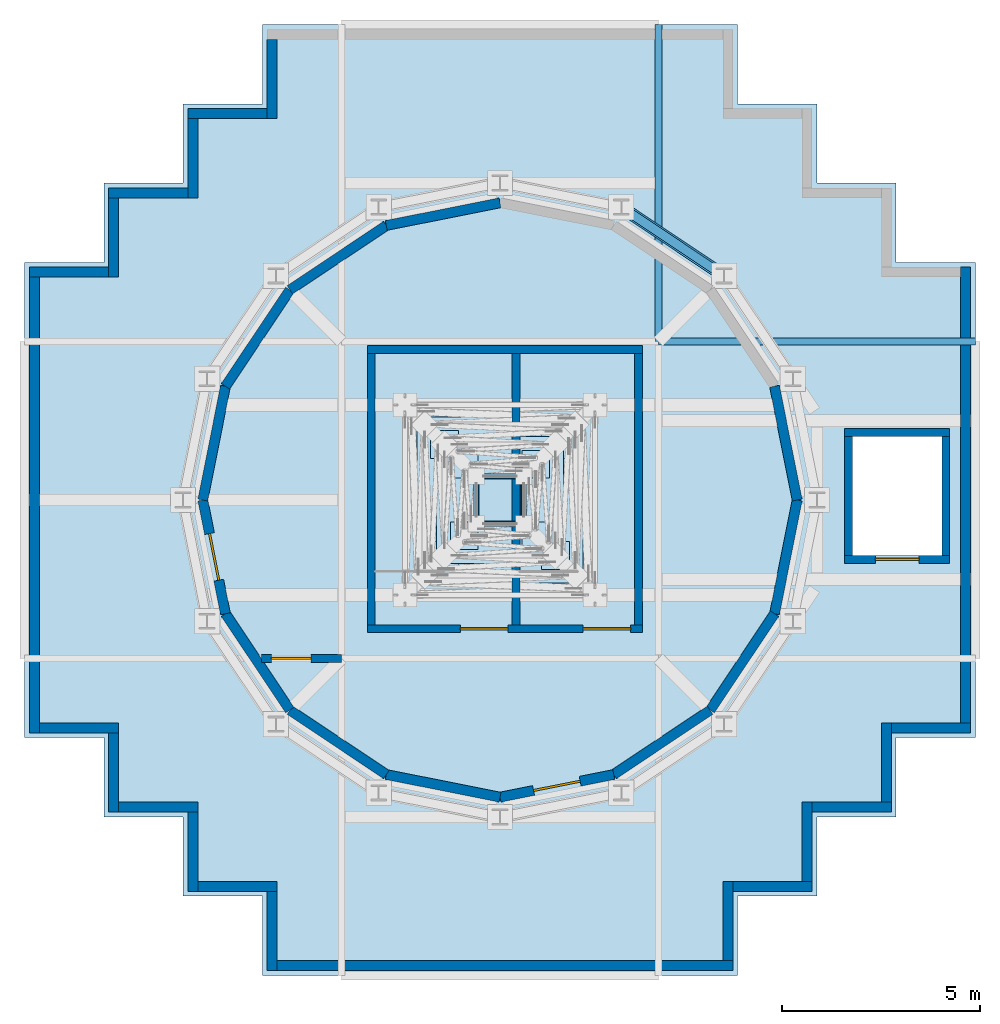
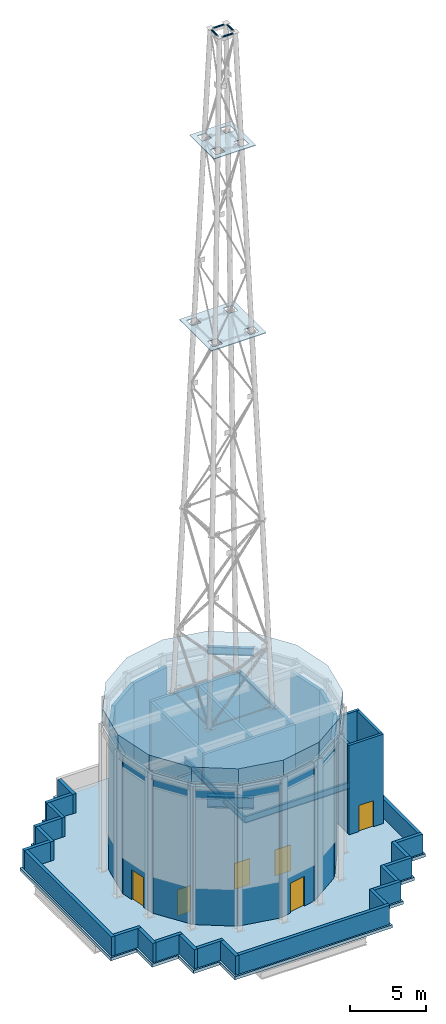
# One storey, part 3 of 15: 44 walls, 6 doors, 4 beams, 4 members, 2 plates, 2 slabs, 6 openings.
"""IFC4 building model written with IfcOpenShell, lengths in metres."""

from ifc_helpers import new_model, si_unit, direction, frame, frame_2d, origin, origin_2d, place, context, subcontext, project, spatial, polyline, rectangle, hollow_circle, i_section, outline, extrude, material, layer, layer_set, material_profile, profile_set, type_object, element, fill, save


model = new_model("IFC4")

# Units and contexts
model_context = context("Model", 3, precision=1e-05, world=origin(), true_north=direction((0.0, 1.0)))
body_context = subcontext(model_context, "Body", "Model", "MODEL_VIEW")
ifc_project = project(units=[si_unit("LENGTHUNIT", "METRE"), si_unit("AREAUNIT", "SQUARE_METRE"), si_unit("VOLUMEUNIT", "CUBIC_METRE"), si_unit("PLANEANGLEUNIT", "RADIAN"), si_unit("MASSUNIT", "GRAM", prefix="KILO")], contexts=[model_context])

# Site, building, storey
site_placement = place(None, origin())
site = spatial("IfcSite", under=ifc_project, at=site_placement, CompositionType="ELEMENT")
building_placement = place(site_placement, origin())
building = spatial("IfcBuilding", under=site, at=building_placement, Name="Immortelle Media Tower", CompositionType="ELEMENT")
storey_placement = place(building_placement, frame((0.0, 0.0, 308.0)))
storey = spatial("IfcBuildingStorey", under=building, at=storey_placement, Name="Roof", CompositionType="ELEMENT", Elevation=308.0)

# Members
ifc_material_1 = material(Name="Steel S355J2H", Category="steel")
ifc_material_profile_1 = material_profile(ifc_material_1, hollow_circle(Radius=0.06982421875, WallThickness=0.00634765625, at=origin_2d()), Name="CHS 139.7 x 6.3")
ifc_profile_set_1 = profile_set([ifc_material_profile_1], Name="Steel S355J2H")
member_type = type_object("IfcMemberType", Name="MAST ring CHS 139.7 x 6.3", PredefinedType="COLLAR", material=ifc_profile_set_1)
for number, where, z_axis, x_axis, name in (
    (1, (11.57275390625, 11.39990234375, 66.91015625), (1.0, 0.0, 0.0), (0.0, 1.0, 0.0), "MAST ring 12A"),
    (2, (12.60009765625, 11.57275390625, 66.91015625), (0.0, 1.0, 0.0), (-1.0, 0.0, 0.0), "MAST ring 12B"),
    (3, (12.42724609375, 12.60009765625, 66.91015625), (-1.0, 0.0, 0.0), (0.0, -1.0, 0.0), "MAST ring 12C"),
    (4, (11.39990234375, 12.42724609375, 66.91015625), (0.0, -1.0, 0.0), (1.0, 0.0, 0.0), "MAST ring 12D"),
):
    element("IfcMember", number, at=place(storey_placement, frame(where, z_axis=z_axis, x_axis=x_axis)), inside=storey, type_object=member_type, Name=name, PredefinedType="COLLAR", context=body_context, shape_type="SweptSolid", body=[
        extrude(hollow_circle(Radius=0.06982421875, WallThickness=0.00634765625, at=origin_2d()), origin(), (0.0, 0.0, 1.0), 0.8544921875),
    ])

# Beams
ifc_material_2 = material(Name="Steel ASTM A992 Gr 50", Category="steel")
ifc_material_profile_2 = material_profile(ifc_material_2, i_section(OverallWidth=0.1669921875, OverallDepth=0.535888671875, WebThickness=0.010009765625, FlangeThickness=0.01708984375, at=origin_2d()), Name="W21x57")
ifc_profile_set_2 = profile_set([ifc_material_profile_2], Name="Steel ASTM A992 Gr 50")
beam_type_1 = type_object("IfcBeamType", Name="W21x57 girder", PredefinedType="BEAM", material=ifc_profile_set_2)
for number, where, z_axis, x_axis, name in (
    (5, (16.0, 16.0, -0.51806640625), (1.0, 0.0, 0.0), (0.0, 1.0, 0.0), "Girder C/3-4"),
    (6, (16.0, 16.0, -0.51806640625), (0.0, 1.0, 0.0), (-1.0, 0.0, 0.0), "Girder 3/C-D"),
):
    element("IfcBeam", number, at=place(storey_placement, frame(where, z_axis=z_axis, x_axis=x_axis)), inside=storey, type_object=beam_type_1, Name=name, PredefinedType="BEAM", context=body_context, shape_type="SweptSolid", body=[
        extrude(i_section(OverallWidth=0.1669921875, OverallDepth=0.535888671875, WebThickness=0.010009765625, FlangeThickness=0.01708984375, at=origin_2d()), origin(), (0.0, 0.0, 1.0), 8.0),
    ])
ifc_material_profile_3 = material_profile(ifc_material_2, i_section(OverallWidth=0.22900390625, OverallDepth=0.612060546875, WebThickness=0.011962890625, FlangeThickness=0.02001953125, at=origin_2d()), Name="W24x84")
ifc_profile_set_3 = profile_set([ifc_material_profile_3], Name="Steel ASTM A992 Gr 50")
beam_type_2 = type_object("IfcBeamType", Name="W24x84 drum crown ring beam", PredefinedType="SPANDREL", material=ifc_profile_set_3)
beam_1_placement = place(storey_placement, frame((17.656982421875, 17.656982421875, 11.444091796875), z_axis=(-0.831484320434, 0.555548220115, 0.0), x_axis=(-0.555548220115, -0.831484320434, 0.0)))
element("IfcBeam", 7, at=beam_1_placement, inside=storey, type_object=beam_type_2, Name="Drum ring beam 3", PredefinedType="SPANDREL", context=body_context, shape_type="SweptSolid", body=[
    extrude(i_section(OverallWidth=0.22900390625, OverallDepth=0.612060546875, WebThickness=0.011962890625, FlangeThickness=0.02001953125, at=origin_2d()), origin(), (0.0, 0.0, 1.0), 3.12158203125),
])
ifc_material_profile_4 = material_profile(ifc_material_2, i_section(OverallWidth=0.31005859375, OverallDepth=0.949951171875, WebThickness=0.02392578125, FlangeThickness=0.0439453125, at=origin_2d()), Name="W36x256")
ifc_profile_set_4 = profile_set([ifc_material_profile_4], Name="Steel ASTM A992 Gr 50")
beam_type_3 = type_object("IfcBeamType", Name="W36x256 drum base ring beam", PredefinedType="SPANDREL", material=ifc_profile_set_4)
beam_2_placement = place(storey_placement, frame((17.656982421875, 17.656982421875, -0.72509765625), z_axis=(-0.831484320434, 0.555548220115, 0.0), x_axis=(-0.555548220115, -0.831484320434, 0.0)))
element("IfcBeam", 8, at=beam_2_placement, inside=storey, type_object=beam_type_3, Name="Drum base ring beam 3", PredefinedType="SPANDREL", context=body_context, shape_type="SweptSolid", body=[
    extrude(i_section(OverallWidth=0.31005859375, OverallDepth=0.949951171875, WebThickness=0.02392578125, FlangeThickness=0.0439453125, at=origin_2d()), origin(), (0.0, 0.0, 1.0), 3.12158203125),
])

# Plates
ifc_material_3 = material(Name="Galvanised steel grating", Category="steel")
ifc_layer_1 = layer(ifc_material_3, 0.050048828125)
ifc_layer_set_1 = layer_set([ifc_layer_1], Name="Galvanised steel grating")
plate_type = type_object("IfcPlateType", Name="MAST platform grating 50", PredefinedType="SHEET", material=ifc_layer_set_1)
plate_1_placement = place(storey_placement, frame((0.0, 0.0, 43.059814453125)))
element("IfcPlate", 9, at=plate_1_placement, inside=storey, type_object=plate_type, Name="MAST platform 7", PredefinedType="SHEET", context=body_context, shape_type="SweptSolid", body=[
    extrude(outline(polyline([(9.900146484375, 9.900146484375), (14.099853515625, 9.900146484375), (14.099853515625, 14.099853515625), (9.900146484375, 14.099853515625), (9.900146484375, 9.900146484375)]), holes=[polyline([(10.250244140625, 10.250244140625), (10.9501953125, 10.250244140625), (10.9501953125, 10.9501953125), (10.250244140625, 10.9501953125), (10.250244140625, 10.250244140625)]), polyline([(13.0498046875, 10.250244140625), (13.749755859375, 10.250244140625), (13.749755859375, 10.9501953125), (13.0498046875, 10.9501953125), (13.0498046875, 10.250244140625)]), polyline([(13.0498046875, 13.0498046875), (13.749755859375, 13.0498046875), (13.749755859375, 13.749755859375), (13.0498046875, 13.749755859375), (13.0498046875, 13.0498046875)]), polyline([(10.250244140625, 13.0498046875), (10.9501953125, 13.0498046875), (10.9501953125, 13.749755859375), (10.250244140625, 13.749755859375), (10.250244140625, 13.0498046875)])]), origin(), (0.0, 0.0, 1.0), 0.050048828125),
])
plate_2_placement = place(storey_placement, frame((0.0, 0.0, 58.059814453125)))
element("IfcPlate", 10, at=plate_2_placement, inside=storey, type_object=plate_type, Name="MAST platform 10", PredefinedType="SHEET", context=body_context, shape_type="SweptSolid", body=[
    extrude(outline(polyline([(10.400390625, 10.400390625), (13.599609375, 10.400390625), (13.599609375, 13.599609375), (10.400390625, 13.599609375), (10.400390625, 10.400390625)]), holes=[polyline([(10.750244140625, 10.750244140625), (11.4501953125, 10.750244140625), (11.4501953125, 11.4501953125), (10.750244140625, 11.4501953125), (10.750244140625, 10.750244140625)]), polyline([(12.5498046875, 10.750244140625), (13.249755859375, 10.750244140625), (13.249755859375, 11.4501953125), (12.5498046875, 11.4501953125), (12.5498046875, 10.750244140625)]), polyline([(12.5498046875, 12.5498046875), (13.249755859375, 12.5498046875), (13.249755859375, 13.249755859375), (12.5498046875, 13.249755859375), (12.5498046875, 12.5498046875)]), polyline([(10.750244140625, 12.5498046875), (11.4501953125, 12.5498046875), (11.4501953125, 13.249755859375), (10.750244140625, 13.249755859375), (10.750244140625, 12.5498046875)])]), origin(), (0.0, 0.0, 1.0), 0.050048828125),
])

# Slabs
ifc_material_4 = material(Name="Concrete C50/60 composite deck", Category="concrete")
ifc_layer_2 = layer(ifc_material_4, 1.199951171875)
ifc_layer_set_2 = layer_set([ifc_layer_2], Name="Concrete C50/60 composite deck")
slab_type_1 = type_object("IfcSlabType", Name="Plant drum roof slab 1200", PredefinedType="ROOF", material=ifc_layer_set_2)
slab_1_placement = place(storey_placement, frame((0.0, 0.0, 11.75)))
element("IfcSlab", 11, at=slab_1_placement, inside=storey, type_object=slab_type_1, Name="Plant drum roof", PredefinedType="ROOF", context=body_context, shape_type="SweptSolid", body=[
    extrude(outline(polyline([(20.0, 12.0), (19.39111328125, 15.0615234375), (17.65673828125, 17.65673828125), (15.0615234375, 19.39111328125), (12.0, 20.0), (8.9384765625, 19.39111328125), (6.34326171875, 17.65673828125), (4.60888671875, 15.0615234375), (4.0, 12.0), (4.60888671875, 8.9384765625), (6.34326171875, 6.34326171875), (8.9384765625, 4.60888671875), (12.0, 4.0), (15.0615234375, 4.60888671875), (17.65673828125, 6.34326171875), (19.39111328125, 8.9384765625), (20.0, 12.0)])), origin(), (0.0, 0.0, 1.0), 1.199951171875),
])
ifc_material_5 = material(Name="Concrete C50/60", Category="concrete")
ifc_layer_3 = layer(ifc_material_5, 0.25)
ifc_layer_set_3 = layer_set([ifc_layer_3], Name="Concrete C50/60")
slab_type_2 = type_object("IfcSlabType", Name="Roof slab 250", PredefinedType="ROOF", material=ifc_layer_set_3)
slab_2_placement = place(storey_placement, frame((0.0, 0.0, -0.25)))
element("IfcSlab", 12, at=slab_2_placement, inside=storey, type_object=slab_type_2, Name="Roof slab", PredefinedType="ROOF", context=body_context, shape_type="SweptSolid", body=[
    extrude(outline(polyline([(6.0, 0.0), (6.0, 2.0), (4.0, 2.0), (4.0, 4.0), (2.0, 4.0), (2.0, 6.0), (0.0, 6.0), (0.0, 18.0), (2.0, 18.0), (2.0, 20.0), (4.0, 20.0), (4.0, 22.0), (6.0, 22.0), (6.0, 24.0), (18.0, 24.0), (18.0, 22.0), (20.0, 22.0), (20.0, 20.0), (22.0, 20.0), (22.0, 18.0), (24.0, 18.0), (24.0, 6.0), (22.0, 6.0), (22.0, 4.0), (20.0, 4.0), (20.0, 2.0), (18.0, 2.0), (18.0, 0.0), (6.0, 0.0)]), holes=[polyline([(20.89990234375, 10.60009765625), (23.14990234375, 10.60009765625), (23.14990234375, 13.60009765625), (20.89990234375, 13.60009765625), (20.89990234375, 10.60009765625)]), polyline([(8.85009765625, 15.699951171875), (8.85009765625, 10.27001953125), (12.300048828125, 10.27001953125), (12.300048828125, 15.699951171875), (8.85009765625, 15.699951171875)]), polyline([(12.5, 15.699951171875), (12.5, 10.27001953125), (15.39990234375, 10.27001953125), (15.39990234375, 15.699951171875), (12.5, 15.699951171875)])]), origin(), (0.0, 0.0, 1.0), 0.25),
])

# Wall, opening, door
ifc_material_6 = material(Name="Fire-rated gypsum board", Category="gypsum")
ifc_layer_4 = layer(ifc_material_6, 0.03759765625)
ifc_material_7 = material(Name="Steel ASTM A653 SS Gr 50 stud frame with mineral wool", Category="steel")
ifc_layer_5 = layer(ifc_material_7, 0.125)
ifc_layer_6 = layer(ifc_material_6, 0.03759765625)
ifc_layer_set_4 = layer_set([ifc_layer_4, ifc_layer_5, ifc_layer_6], Name="Steel ASTM A653 SS Gr 50 stud frame with mineral wool")
wall_type_1 = type_object("IfcWallType", Name="Core shaft wall 200", PredefinedType="PARTITIONING", material=ifc_layer_set_4)
wall_1_placement = place(storey_placement, frame((20.699951171875, 10.5, 0.0), z_axis=(0.0, 0.0, 1.0), x_axis=(1.0, 0.0, 0.0)))
wall_1 = element("IfcWall", 13, at=wall_1_placement, inside=storey, type_object=wall_type_1, Name="Core shaft wall SW", PredefinedType="PARTITIONING", context=body_context, shape_type="SweptSolid", body=[
    extrude(rectangle(XDim=2.650146484375, YDim=0.199951171875, at=frame_2d((1.3251953125, 0.0))), origin(), (0.0, 0.0, 1.0), 7.199951171875),
])
opening_1_placement = place(wall_1_placement, frame((0.77490234375, 0.0, 0.0)))
opening_1 = element("IfcOpeningElement", 14, at=opening_1_placement, cuts=wall_1, Name="Opening LD", PredefinedType="OPENING", context=body_context, shape_type="SweptSolid", body=[
    extrude(rectangle(XDim=1.10009765625, YDim=2.10009765625, at=frame_2d((0.550048828125, 1.050048828125))), frame((0.0, 0.10986328125, 0.0), z_axis=(0.0, -1.0, 0.0), x_axis=(1.0, 0.0, 0.0)), (0.0, 0.0, 1.0), 0.219970703125),
])
ifc_material_8 = material(Name="Stainless steel AISI 304", Category="steel")
door_type_1 = type_object("IfcDoorType", Name="Landing door 1100 x 2100", OperationType="SLIDING_TO_LEFT", PredefinedType="NOTDEFINED", material=ifc_material_8)
door_1_placement = place(opening_1_placement, origin())
door_1 = element("IfcDoor", 15, at=door_1_placement, inside=storey, type_object=door_type_1, Name="Landing door FF3 Roof", OperationType="SLIDING_TO_LEFT", OverallHeight=2.10009765625, OverallWidth=1.10009765625, PredefinedType="NOTDEFINED", context=body_context, shape_type="SweptSolid", body=[
    extrude(rectangle(XDim=1.10009765625, YDim=2.10009765625, at=frame_2d((0.550048828125, 1.050048828125))), frame((0.0, 0.02490234375, 0.0), z_axis=(0.0, -1.0, 0.0), x_axis=(1.0, 0.0, 0.0)), (0.0, 0.0, 1.0), 0.050048828125),
])
fill(opening_1, door_1)

# Walls
wall_2_placement = place(storey_placement, frame((20.699951171875, 13.699951171875, 0.0), z_axis=(0.0, 0.0, 1.0), x_axis=(1.0, 0.0, 0.0)))
element("IfcWall", 16, at=wall_2_placement, inside=storey, type_object=wall_type_1, Name="Core shaft wall SW", PredefinedType="PARTITIONING", context=body_context, shape_type="SweptSolid", body=[
    extrude(rectangle(XDim=2.650146484375, YDim=0.199951171875, at=frame_2d((1.3251953125, 0.0))), origin(), (0.0, 0.0, 1.0), 7.199951171875),
])
for number, where, z_axis, x_axis, name in (
    (17, (20.800048828125, 10.60009765625, 0.0), (0.0, 0.0, 1.0), (0.0, 1.0, 0.0), "Core shaft wall SW"),
    (18, (23.25, 10.60009765625, 0.0), (0.0, 0.0, 1.0), (0.0, 1.0, 0.0), "Core shaft wall SW"),
):
    element("IfcWall", number, at=place(storey_placement, frame(where, z_axis=z_axis, x_axis=x_axis)), inside=storey, type_object=wall_type_1, Name=name, PredefinedType="PARTITIONING", context=body_context, shape_type="SweptSolid", body=[
        extrude(rectangle(XDim=3.0, YDim=0.199951171875, at=frame_2d((1.5, 0.0))), origin(), (0.0, 0.0, 1.0), 7.199951171875),
    ])

# Wall, opening, door
ifc_layer_7 = layer(ifc_material_6, 0.03759765625)
ifc_layer_8 = layer(ifc_material_7, 0.125)
ifc_layer_9 = layer(ifc_material_6, 0.03759765625)
ifc_layer_set_5 = layer_set([ifc_layer_7, ifc_layer_8, ifc_layer_9], Name="Steel ASTM A653 SS Gr 50 stud frame with mineral wool")
wall_type_2 = type_object("IfcWallType", Name="Fire-resisting wall 200", PredefinedType="PARTITIONING", material=ifc_layer_set_5)
wall_3_placement = place(storey_placement, frame((5.97705078125, 8.0, 0.0), z_axis=(0.0, 0.0, 1.0), x_axis=(1.0, 0.0, 0.0)))
wall_3 = element("IfcWall", 19, at=wall_3_placement, inside=storey, type_object=wall_type_2, Name="Fire-resisting wall Roof-1", PredefinedType="PARTITIONING", context=body_context, shape_type="SweptSolid", body=[
    extrude(rectangle(XDim=2.02294921875, YDim=0.199951171875, at=frame_2d((1.011474609375, 0.0))), origin(), (0.0, 0.0, 1.0), 11.137939453125),
])
opening_2_placement = place(wall_3_placement, frame((1.25, 0.0, 0.0), z_axis=(0.0, 0.0, 1.0), x_axis=(-1.0, 0.0, 0.0)))
opening_2 = element("IfcOpeningElement", 20, at=opening_2_placement, cuts=wall_3, Name="Opening ROOF-X01", PredefinedType="OPENING", context=body_context, shape_type="SweptSolid", body=[
    extrude(rectangle(XDim=1.0, YDim=2.10009765625, at=frame_2d((0.5, 1.050048828125))), frame((0.0, 0.10986328125, 0.0), z_axis=(0.0, -1.0, 0.0), x_axis=(1.0, 0.0, 0.0)), (0.0, 0.0, 1.0), 0.219970703125),
])
ifc_material_9 = material(Name="Galvanised steel door leaf and frame ASTM A653", Category="steel")
door_type_2 = type_object("IfcDoorType", Name="Fire door 1000 x 2100", OperationType="NOTDEFINED", PredefinedType="DOOR", material=ifc_material_9)
door_2_placement = place(opening_2_placement, origin())
door_2 = element("IfcDoor", 21, at=door_2_placement, inside=storey, type_object=door_type_2, Name="Door ROOF-X01", OperationType="SINGLE_SWING_RIGHT", OverallHeight=2.10009765625, OverallWidth=1.0, PredefinedType="DOOR", context=body_context, shape_type="SweptSolid", body=[
    extrude(rectangle(XDim=1.0, YDim=2.10009765625, at=frame_2d((0.5, 1.050048828125))), frame((0.0, 0.02490234375, 0.0), z_axis=(0.0, -1.0, 0.0), x_axis=(1.0, 0.0, 0.0)), (0.0, 0.0, 1.0), 0.050048828125),
])
fill(opening_2, door_2)

# Walls
ifc_material_10 = material(Name="Pale aluminium cladding panel", Category="aluminium")
ifc_layer_10 = layer(ifc_material_10, 0.030029296875)
ifc_layer_11 = layer(ifc_material_7, 0.20751953125)
ifc_material_11 = material(Name="Moisture-resistant gypsum board", Category="gypsum")
ifc_layer_12 = layer(ifc_material_11, 0.012451171875)
ifc_layer_set_6 = layer_set([ifc_layer_10, ifc_layer_11, ifc_layer_12], Name="Steel ASTM A653 SS Gr 50 stud frame with mineral wool")
wall_type_3 = type_object("IfcWallType", Name="Plant drum wall 250", PredefinedType="STANDARD", material=ifc_layer_set_6)
for number, where, z_axis, x_axis, name in (
    (22, (19.5, 12.0, 0.0), (0.0, 0.0, 1.0), (-0.195057113645, 0.980791885375, 0.0), "Plant drum wall 1"),
    (23, (12.0, 19.5, 0.0), (0.0, 0.0, 1.0), (-0.980791885375, -0.195057113645, 0.0), "Plant drum wall 5"),
):
    element("IfcWall", number, at=place(storey_placement, frame(where, z_axis=z_axis, x_axis=x_axis)), inside=storey, type_object=wall_type_3, Name=name, PredefinedType="STANDARD", context=body_context, shape_type="SweptSolid", body=[
        extrude(rectangle(XDim=2.92626953125, YDim=0.25, at=frame_2d((1.463134765625, 0.0))), origin(), (0.0, 0.0, 1.0), 11.136962890625),
    ])
for number, where, z_axis, x_axis, name in (
    (24, (9.1298828125, 18.92919921875, 0.0), (0.0, 0.0, 1.0), (-0.831433704682, -0.555623968812, 0.0), "Plant drum wall 6"),
    (25, (6.69677734375, 17.30322265625, 0.0), (0.0, 0.0, 1.0), (-0.555623968812, -0.831433704682, 0.0), "Plant drum wall 7"),
):
    element("IfcWall", number, at=place(storey_placement, frame(where, z_axis=z_axis, x_axis=x_axis)), inside=storey, type_object=wall_type_3, Name=name, PredefinedType="STANDARD", context=body_context, shape_type="SweptSolid", body=[
        extrude(rectangle(XDim=2.926513671875, YDim=0.25, at=frame_2d((1.46337890625, 0.0))), origin(), (0.0, 0.0, 1.0), 11.136962890625),
    ])
wall_4_placement = place(storey_placement, frame((5.07080078125, 14.8701171875, 0.0), z_axis=(0.0, 0.0, 1.0), x_axis=(-0.195057113645, -0.980791885375, 0.0)))
element("IfcWall", 26, at=wall_4_placement, inside=storey, type_object=wall_type_3, Name="Plant drum wall 8", PredefinedType="STANDARD", context=body_context, shape_type="SweptSolid", body=[
    extrude(rectangle(XDim=2.92626953125, YDim=0.25, at=frame_2d((1.463134765625, 0.0))), origin(), (0.0, 0.0, 1.0), 11.136962890625),
])

# Wall, opening, door
wall_5_placement = place(storey_placement, frame((4.5, 12.0, 0.0), z_axis=(0.0, 0.0, 1.0), x_axis=(0.195057113645, -0.980791885375, 0.0)))
wall_5 = element("IfcWall", 27, at=wall_5_placement, inside=storey, type_object=wall_type_3, Name="Plant drum wall 9", PredefinedType="STANDARD", context=body_context, shape_type="SweptSolid", body=[
    extrude(rectangle(XDim=2.92626953125, YDim=0.25, at=frame_2d((1.463134765625, 0.0))), origin(), (0.0, 0.0, 1.0), 11.136962890625),
])
opening_3_placement = place(wall_5_placement, frame((2.063232421875, 0.0, 0.0), z_axis=(0.0, 0.0, 1.0), x_axis=(-1.0, 0.0, 0.0)))
opening_3 = element("IfcOpeningElement", 28, at=opening_3_placement, cuts=wall_5, Name="Opening ROOF-E01", PredefinedType="OPENING", context=body_context, shape_type="SweptSolid", body=[
    extrude(rectangle(XDim=1.199951171875, YDim=2.39990234375, at=frame_2d((0.60009765625, 1.199951171875))), frame((0.0, 0.135009765625, 0.0), z_axis=(0.0, -1.0, 0.0), x_axis=(1.0, 0.0, 0.0)), (0.0, 0.0, 1.0), 0.27001953125),
])
ifc_material_12 = material(Name="Galvanised steel door leaf ASTM A653, polyester powder coated", Category="steel")
door_type_3 = type_object("IfcDoorType", Name="Service door 1200", OperationType="NOTDEFINED", PredefinedType="DOOR", material=ifc_material_12)
door_3_placement = place(opening_3_placement, origin())
door_3 = element("IfcDoor", 29, at=door_3_placement, inside=storey, type_object=door_type_3, Name="Drum door ROOF-E01", OperationType="SINGLE_SWING_LEFT", OverallHeight=2.39990234375, OverallWidth=1.199951171875, PredefinedType="DOOR", context=body_context, shape_type="SweptSolid", body=[
    extrude(rectangle(XDim=1.199951171875, YDim=2.39990234375, at=frame_2d((0.60009765625, 1.199951171875))), frame((0.0, 0.02490234375, 0.0), z_axis=(0.0, -1.0, 0.0), x_axis=(1.0, 0.0, 0.0)), (0.0, 0.0, 1.0), 0.050048828125),
])
fill(opening_3, door_3)

# Walls
for number, where, z_axis, x_axis, name in (
    (30, (5.07080078125, 9.1298828125, 0.0), (0.0, 0.0, 1.0), (0.555623968812, -0.831433704682, 0.0), "Plant drum wall 10"),
    (31, (6.69677734375, 6.69677734375, 0.0), (0.0, 0.0, 1.0), (0.831433704682, -0.555623968812, 0.0), "Plant drum wall 11"),
):
    element("IfcWall", number, at=place(storey_placement, frame(where, z_axis=z_axis, x_axis=x_axis)), inside=storey, type_object=wall_type_3, Name=name, PredefinedType="STANDARD", context=body_context, shape_type="SweptSolid", body=[
        extrude(rectangle(XDim=2.926513671875, YDim=0.25, at=frame_2d((1.46337890625, 0.0))), origin(), (0.0, 0.0, 1.0), 11.136962890625),
    ])
wall_6_placement = place(storey_placement, frame((9.1298828125, 5.07080078125, 0.0), z_axis=(0.0, 0.0, 1.0), x_axis=(0.980791885375, -0.195057113645, 0.0)))
element("IfcWall", 32, at=wall_6_placement, inside=storey, type_object=wall_type_3, Name="Plant drum wall 12", PredefinedType="STANDARD", context=body_context, shape_type="SweptSolid", body=[
    extrude(rectangle(XDim=2.92626953125, YDim=0.25, at=frame_2d((1.463134765625, 0.0))), origin(), (0.0, 0.0, 1.0), 11.136962890625),
])

# Wall, opening, door
wall_7_placement = place(storey_placement, frame((12.0, 4.5, 0.0), z_axis=(0.0, 0.0, 1.0), x_axis=(0.980791885375, 0.195057113645, 0.0)))
wall_7 = element("IfcWall", 33, at=wall_7_placement, inside=storey, type_object=wall_type_3, Name="Plant drum wall 13", PredefinedType="STANDARD", context=body_context, shape_type="SweptSolid", body=[
    extrude(rectangle(XDim=2.92626953125, YDim=0.25, at=frame_2d((1.463134765625, 0.0))), origin(), (0.0, 0.0, 1.0), 11.136962890625),
])
opening_4_placement = place(wall_7_placement, frame((2.063232421875, 0.0, 0.0), z_axis=(0.0, 0.0, 1.0), x_axis=(-1.0, 0.0, 0.0)))
opening_4 = element("IfcOpeningElement", 34, at=opening_4_placement, cuts=wall_7, Name="Opening ROOF-E02", PredefinedType="OPENING", context=body_context, shape_type="SweptSolid", body=[
    extrude(rectangle(XDim=1.199951171875, YDim=2.39990234375, at=frame_2d((0.60009765625, 1.199951171875))), frame((0.0, 0.135009765625, 0.0), z_axis=(0.0, -1.0, 0.0), x_axis=(1.0, 0.0, 0.0)), (0.0, 0.0, 1.0), 0.27001953125),
])
door_4_placement = place(opening_4_placement, origin())
door_4 = element("IfcDoor", 35, at=door_4_placement, inside=storey, type_object=door_type_3, Name="Drum door ROOF-E02", OperationType="SINGLE_SWING_LEFT", OverallHeight=2.39990234375, OverallWidth=1.199951171875, PredefinedType="DOOR", context=body_context, shape_type="SweptSolid", body=[
    extrude(rectangle(XDim=1.199951171875, YDim=2.39990234375, at=frame_2d((0.60009765625, 1.199951171875))), frame((0.0, 0.02490234375, 0.0), z_axis=(0.0, -1.0, 0.0), x_axis=(1.0, 0.0, 0.0)), (0.0, 0.0, 1.0), 0.050048828125),
])
fill(opening_4, door_4)

# Walls
for number, where, z_axis, x_axis, name in (
    (36, (14.8701171875, 5.07080078125, 0.0), (0.0, 0.0, 1.0), (0.831433704682, 0.555623968812, 0.0), "Plant drum wall 14"),
    (37, (17.30322265625, 6.69677734375, 0.0), (0.0, 0.0, 1.0), (0.555623968812, 0.831433704682, 0.0), "Plant drum wall 15"),
):
    element("IfcWall", number, at=place(storey_placement, frame(where, z_axis=z_axis, x_axis=x_axis)), inside=storey, type_object=wall_type_3, Name=name, PredefinedType="STANDARD", context=body_context, shape_type="SweptSolid", body=[
        extrude(rectangle(XDim=2.926513671875, YDim=0.25, at=frame_2d((1.46337890625, 0.0))), origin(), (0.0, 0.0, 1.0), 11.136962890625),
    ])
wall_8_placement = place(storey_placement, frame((18.92919921875, 9.1298828125, 0.0), z_axis=(0.0, 0.0, 1.0), x_axis=(0.195057113645, 0.980791885375, 0.0)))
element("IfcWall", 38, at=wall_8_placement, inside=storey, type_object=wall_type_3, Name="Plant drum wall 16", PredefinedType="STANDARD", context=body_context, shape_type="SweptSolid", body=[
    extrude(rectangle(XDim=2.92626953125, YDim=0.25, at=frame_2d((1.463134765625, 0.0))), origin(), (0.0, 0.0, 1.0), 11.136962890625),
])
ifc_material_13 = material(Name="Pale aluminium coping panel", Category="aluminium")
ifc_layer_13 = layer(ifc_material_13, 0.030029296875)
ifc_layer_14 = layer(ifc_material_7, 0.18994140625)
ifc_layer_15 = layer(ifc_material_13, 0.030029296875)
ifc_layer_set_7 = layer_set([ifc_layer_13, ifc_layer_14, ifc_layer_15], Name="Steel ASTM A653 SS Gr 50 stud frame with mineral wool")
wall_type_4 = type_object("IfcWallType", Name="Roof parapet wall 250", PredefinedType="PARAPET", material=ifc_layer_set_7)
for number, where, z_axis, x_axis, name in (
    (39, (17.75, 0.375, 0.0), (0.0, 0.0, 1.0), (0.0, 1.0, 0.0), "Roof parapet Roof E 1"),
    (40, (17.875, 2.25, 0.0), (0.0, 0.0, 1.0), (1.0, 0.0, 0.0), "Roof parapet Roof S 2"),
    (41, (19.75, 2.375, 0.0), (0.0, 0.0, 1.0), (0.0, 1.0, 0.0), "Roof parapet Roof E 3"),
    (42, (19.875, 4.25, 0.0), (0.0, 0.0, 1.0), (1.0, 0.0, 0.0), "Roof parapet Roof S 4"),
    (43, (21.75, 4.375, 0.0), (0.0, 0.0, 1.0), (0.0, 1.0, 0.0), "Roof parapet Roof E 5"),
    (44, (21.875, 6.25, 0.0), (0.0, 0.0, 1.0), (1.0, 0.0, 0.0), "Roof parapet Roof S 6"),
):
    element("IfcWall", number, at=place(storey_placement, frame(where, z_axis=z_axis, x_axis=x_axis)), inside=storey, type_object=wall_type_4, Name=name, PredefinedType="PARAPET", context=body_context, shape_type="SweptSolid", body=[
        extrude(rectangle(XDim=2.0, YDim=0.25, at=frame_2d((1.0, 0.0))), origin(), (0.0, 0.0, 1.0), 1.550048828125),
    ])
wall_9_placement = place(storey_placement, frame((23.75, 6.375, 0.0), z_axis=(0.0, 0.0, 1.0), x_axis=(0.0, 1.0, 0.0)))
element("IfcWall", 45, at=wall_9_placement, inside=storey, type_object=wall_type_4, Name="Roof parapet Roof E 7", PredefinedType="PARAPET", context=body_context, shape_type="SweptSolid", body=[
    extrude(rectangle(XDim=11.5, YDim=0.25, at=frame_2d((5.75, 0.0))), origin(), (0.0, 0.0, 1.0), 1.550048828125),
])
for number, where, z_axis, x_axis, name in (
    (46, (6.25, 23.625, 0.0), (0.0, 0.0, 1.0), (0.0, -1.0, 0.0), "Roof parapet Roof W 15"),
    (47, (6.125, 21.75, 0.0), (0.0, 0.0, 1.0), (-1.0, 0.0, 0.0), "Roof parapet Roof N 16"),
    (48, (4.25, 21.625, 0.0), (0.0, 0.0, 1.0), (0.0, -1.0, 0.0), "Roof parapet Roof W 17"),
    (49, (4.125, 19.75, 0.0), (0.0, 0.0, 1.0), (-1.0, 0.0, 0.0), "Roof parapet Roof N 18"),
    (50, (2.25, 19.625, 0.0), (0.0, 0.0, 1.0), (0.0, -1.0, 0.0), "Roof parapet Roof W 19"),
    (51, (2.125, 17.75, 0.0), (0.0, 0.0, 1.0), (-1.0, 0.0, 0.0), "Roof parapet Roof N 20"),
):
    element("IfcWall", number, at=place(storey_placement, frame(where, z_axis=z_axis, x_axis=x_axis)), inside=storey, type_object=wall_type_4, Name=name, PredefinedType="PARAPET", context=body_context, shape_type="SweptSolid", body=[
        extrude(rectangle(XDim=2.0, YDim=0.25, at=frame_2d((1.0, 0.0))), origin(), (0.0, 0.0, 1.0), 1.550048828125),
    ])
wall_10_placement = place(storey_placement, frame((0.25, 17.625, 0.0), z_axis=(0.0, 0.0, 1.0), x_axis=(0.0, -1.0, 0.0)))
element("IfcWall", 52, at=wall_10_placement, inside=storey, type_object=wall_type_4, Name="Roof parapet Roof W 21", PredefinedType="PARAPET", context=body_context, shape_type="SweptSolid", body=[
    extrude(rectangle(XDim=11.5, YDim=0.25, at=frame_2d((5.75, 0.0))), origin(), (0.0, 0.0, 1.0), 1.550048828125),
])
for number, where, z_axis, x_axis, name in (
    (53, (0.375, 6.25, 0.0), (0.0, 0.0, 1.0), (1.0, 0.0, 0.0), "Roof parapet Roof S 22"),
    (54, (2.25, 6.125, 0.0), (0.0, 0.0, 1.0), (0.0, -1.0, 0.0), "Roof parapet Roof W 23"),
    (55, (2.375, 4.25, 0.0), (0.0, 0.0, 1.0), (1.0, 0.0, 0.0), "Roof parapet Roof S 24"),
    (56, (4.25, 4.125, 0.0), (0.0, 0.0, 1.0), (0.0, -1.0, 0.0), "Roof parapet Roof W 25"),
    (57, (4.375, 2.25, 0.0), (0.0, 0.0, 1.0), (1.0, 0.0, 0.0), "Roof parapet Roof S 26"),
    (58, (6.25, 2.125, 0.0), (0.0, 0.0, 1.0), (0.0, -1.0, 0.0), "Roof parapet Roof W 27"),
):
    element("IfcWall", number, at=place(storey_placement, frame(where, z_axis=z_axis, x_axis=x_axis)), inside=storey, type_object=wall_type_4, Name=name, PredefinedType="PARAPET", context=body_context, shape_type="SweptSolid", body=[
        extrude(rectangle(XDim=2.0, YDim=0.25, at=frame_2d((1.0, 0.0))), origin(), (0.0, 0.0, 1.0), 1.550048828125),
    ])
wall_11_placement = place(storey_placement, frame((6.375, 0.25, 0.0), z_axis=(0.0, 0.0, 1.0), x_axis=(1.0, 0.0, 0.0)))
element("IfcWall", 59, at=wall_11_placement, inside=storey, type_object=wall_type_4, Name="Roof parapet Roof S 28", PredefinedType="PARAPET", context=body_context, shape_type="SweptSolid", body=[
    extrude(rectangle(XDim=11.5, YDim=0.25, at=frame_2d((5.75, 0.0))), origin(), (0.0, 0.0, 1.0), 1.550048828125),
])

# Wall, openings, doors
ifc_layer_16 = layer(ifc_material_5, 0.199951171875)
ifc_layer_set_8 = layer_set([ifc_layer_16], Name="Concrete C50/60")
wall_type_5 = type_object("IfcWallType", Name="Stair head house shear wall 200", PredefinedType="STANDARD", material=ifc_layer_set_8)
wall_12_placement = place(storey_placement, frame((8.64990234375, 8.75, 0.0), z_axis=(0.0, 0.0, 1.0), x_axis=(1.0, 0.0, 0.0)))
wall_12 = element("IfcWall", 60, at=wall_12_placement, inside=storey, type_object=wall_type_5, Name="Stair head house south wall", PredefinedType="STANDARD", context=body_context, shape_type="SweptSolid", body=[
    extrude(rectangle(XDim=6.9501953125, YDim=0.199951171875, at=frame_2d((3.47509765625, 0.0))), origin(), (0.0, 0.0, 1.0), 11.74951171875),
])
opening_5_placement = place(wall_12_placement, frame((3.550048828125, 0.0, 0.0), z_axis=(0.0, 0.0, 1.0), x_axis=(-1.0, 0.0, 0.0)))
opening_5 = element("IfcOpeningElement", 61, at=opening_5_placement, cuts=wall_12, Name="Opening ROOF-E03", PredefinedType="OPENING", context=body_context, shape_type="SweptSolid", body=[
    extrude(rectangle(XDim=1.199951171875, YDim=2.10009765625, at=frame_2d((0.60009765625, 1.050048828125))), frame((0.0, 0.10986328125, 0.0), z_axis=(0.0, -1.0, 0.0), x_axis=(1.0, 0.0, 0.0)), (0.0, 0.0, 1.0), 0.219970703125),
])
opening_6_placement = place(wall_12_placement, frame((6.64990234375, 0.0, 0.0), z_axis=(0.0, 0.0, 1.0), x_axis=(-1.0, 0.0, 0.0)))
opening_6 = element("IfcOpeningElement", 62, at=opening_6_placement, cuts=wall_12, Name="Opening ROOF-E04", PredefinedType="OPENING", context=body_context, shape_type="SweptSolid", body=[
    extrude(rectangle(XDim=1.199951171875, YDim=2.10009765625, at=frame_2d((0.60009765625, 1.050048828125))), frame((0.0, 0.10986328125, 0.0), z_axis=(0.0, -1.0, 0.0), x_axis=(1.0, 0.0, 0.0)), (0.0, 0.0, 1.0), 0.219970703125),
])
ifc_material_14 = material(Name="Galvanised steel door leaf ASTM A653, polyester powder coated, fire-rated", Category="steel")
door_type_4 = type_object("IfcDoorType", Name="Head house exit door 1200", OperationType="NOTDEFINED", PredefinedType="DOOR", material=ifc_material_14)
door_5_placement = place(opening_5_placement, origin())
door_5 = element("IfcDoor", 63, at=door_5_placement, inside=storey, type_object=door_type_4, Name="Stair exit door ROOF-E03", OperationType="SINGLE_SWING_LEFT", OverallHeight=2.10009765625, OverallWidth=1.199951171875, PredefinedType="DOOR", context=body_context, shape_type="SweptSolid", body=[
    extrude(rectangle(XDim=1.199951171875, YDim=2.10009765625, at=frame_2d((0.60009765625, 1.050048828125))), frame((0.0, 0.02490234375, 0.0), z_axis=(0.0, -1.0, 0.0), x_axis=(1.0, 0.0, 0.0)), (0.0, 0.0, 1.0), 0.050048828125),
])
fill(opening_5, door_5)
door_6_placement = place(opening_6_placement, origin())
door_6 = element("IfcDoor", 64, at=door_6_placement, inside=storey, type_object=door_type_4, Name="Stair exit door ROOF-E04", OperationType="SINGLE_SWING_RIGHT", OverallHeight=2.10009765625, OverallWidth=1.199951171875, PredefinedType="DOOR", context=body_context, shape_type="SweptSolid", body=[
    extrude(rectangle(XDim=1.199951171875, YDim=2.10009765625, at=frame_2d((0.60009765625, 1.050048828125))), frame((0.0, 0.02490234375, 0.0), z_axis=(0.0, -1.0, 0.0), x_axis=(1.0, 0.0, 0.0)), (0.0, 0.0, 1.0), 0.050048828125),
])
fill(opening_6, door_6)

# Walls
wall_13_placement = place(storey_placement, frame((8.64990234375, 15.800048828125, 0.0), z_axis=(0.0, 0.0, 1.0), x_axis=(1.0, 0.0, 0.0)))
element("IfcWall", 65, at=wall_13_placement, inside=storey, type_object=wall_type_5, Name="Stair head house north wall", PredefinedType="STANDARD", context=body_context, shape_type="SweptSolid", body=[
    extrude(rectangle(XDim=6.9501953125, YDim=0.199951171875, at=frame_2d((3.47509765625, 0.0))), origin(), (0.0, 0.0, 1.0), 11.74951171875),
])
for number, where, z_axis, x_axis, name in (
    (66, (8.75, 8.85009765625, 0.0), (0.0, 0.0, 1.0), (0.0, 1.0, 0.0), "Stair head house west wall"),
    (67, (15.5, 8.85009765625, 0.0), (0.0, 0.0, 1.0), (0.0, 1.0, 0.0), "Stair head house east wall"),
    (68, (12.39990234375, 8.85009765625, 0.0), (0.0, 0.0, 1.0), (0.0, 1.0, 0.0), "Stair head house shaft wall"),
):
    element("IfcWall", number, at=place(storey_placement, frame(where, z_axis=z_axis, x_axis=x_axis)), inside=storey, type_object=wall_type_5, Name=name, PredefinedType="STANDARD", context=body_context, shape_type="SweptSolid", body=[
        extrude(rectangle(XDim=6.849853515625, YDim=0.199951171875, at=frame_2d((3.4248046875, 0.0))), origin(), (0.0, 0.0, 1.0), 11.74951171875),
    ])

save(model, "model.ifc")
